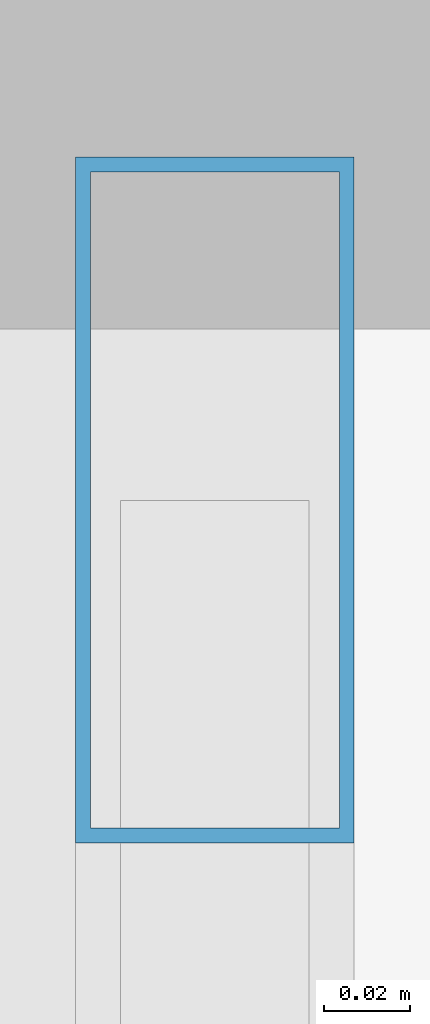
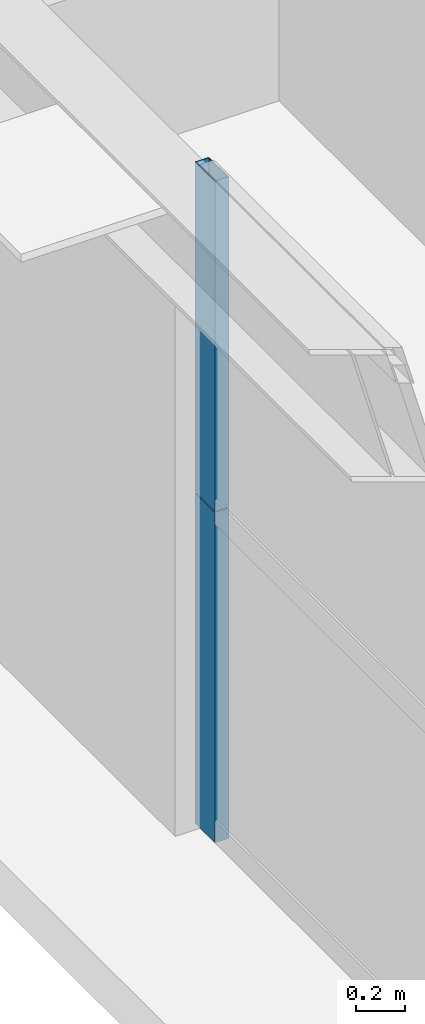
# One storey, part 23 of 38: 2 members, 1 element without a shape of its own.
"""IFC4 building model written with IfcOpenShell, lengths in metres."""

from ifc_helpers import new_model, si_unit, direction, frame, origin, origin_2d, place, context, subcontext, project, spatial, hollow_rectangle, extrude, source, transform, mapped, material, layer, layer_set, material_profile, profile_set, type_object, element, aggregate, save


model = new_model("IFC4")

# Units and contexts
model_context = context("Model", 3, precision=1e-05, world=origin(), true_north=direction((0.0, 1.0)))
body_context = subcontext(model_context, "Body", "Model", "MODEL_VIEW")
ifc_project = project(units=[si_unit("LENGTHUNIT", "METRE"), si_unit("AREAUNIT", "SQUARE_METRE"), si_unit("VOLUMEUNIT", "CUBIC_METRE"), si_unit("PLANEANGLEUNIT", "RADIAN"), si_unit("MASSUNIT", "GRAM", prefix="KILO"), si_unit("THERMODYNAMICTEMPERATUREUNIT", "KELVIN"), si_unit("POWERUNIT", "WATT")], contexts=[model_context])

# Site, building, storey
site_placement = place(None, origin())
site = spatial("IfcSite", under=ifc_project, at=site_placement, CompositionType="ELEMENT")
building_placement = place(site_placement, origin())
building = spatial("IfcBuilding", under=site, at=building_placement, Name="Yuzanri Waterfront Tower", CompositionType="ELEMENT")
storey_placement = place(building_placement, frame((0.0, 0.0, 195.0)))
storey = spatial("IfcBuildingStorey", under=building, at=storey_placement, Name="L51", CompositionType="ELEMENT", Elevation=195.0)

# Curtain wall, members
ifc_material_1 = material(Name="Anodized Architectural Bronze", Category="metal")
ifc_layer = layer(ifc_material_1, 0.159912109375)
ifc_layer_set = layer_set([ifc_layer], Name="Anodized Architectural Bronze")
curtain_wall_type = type_object("IfcCurtainWallType", Name="Anodized Bronze Mid-Rise Residential Acoustic Unitized Curtain Wall 7200", PredefinedType="NOTDEFINED", material=ifc_layer_set)
curtain_wall_placement = place(storey_placement, origin())
curtain_wall = element("IfcCurtainWall", 1, at=curtain_wall_placement, inside=storey, type_object=curtain_wall_type, Name="L51 Curtain Wall CW-L51-WR", PredefinedType="NOTDEFINED")
ifc_material_2 = material(Name="Anodized Architectural Bronze", Category="metal")
ifc_material_profile = material_profile(ifc_material_2, hollow_rectangle(XDim=0.06494140625, YDim=0.159912109375, WallThickness=0.00341796875, at=origin_2d()), Name="CWM 65x160")
ifc_profile_set = profile_set([ifc_material_profile], Name="Anodized Architectural Bronze")
member_type = type_object("IfcMemberType", Name="Anodized Bronze Upper-Zone Curtain-Wall Mullion 65x160", PredefinedType="MULLION", material=ifc_profile_set)
shared_shape = source(origin(), body_context, "Body", "SweptSolid", [
    extrude(hollow_rectangle(XDim=0.06494140625, YDim=0.159912109375, WallThickness=0.00341796875, at=origin_2d()), origin(), (0.0, 0.0, 1.0), 1.637939453125),
])
member_1_placement = place(storey_placement, frame((15.050048828125, 40.510009765625, 0.0), z_axis=(0.0, 0.0, 1.0), x_axis=(1.0, 0.0, 0.0)))
member_1 = element("IfcMember", 2, at=member_1_placement, type_object=member_type, Name="CW-L51-WR Lower Mullion 02", PredefinedType="MULLION", context=body_context, shape_type="MappedRepresentation", body=[
    mapped(shared_shape, transform((0.0, 0.0, 0.0), scale=1.0)),
])
member_2_placement = place(storey_placement, frame((15.050048828125, 40.510009765625, 1.64208984375), z_axis=(0.0, 0.0, 1.0), x_axis=(1.0, 0.0, 0.0)))
member_2 = element("IfcMember", 3, at=member_2_placement, type_object=member_type, Name="CW-L51-WR Upper Mullion 02", PredefinedType="MULLION", context=body_context, shape_type="MappedRepresentation", body=[
    mapped(shared_shape, transform((0.0, 0.0, 0.0), scale=1.0)),
])
aggregate(curtain_wall, [member_1, member_2])

save(model, "model.ifc")
